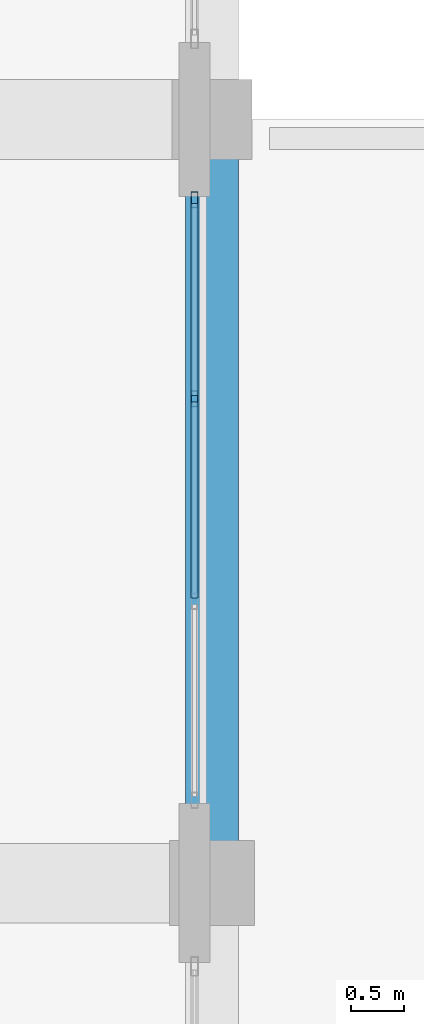
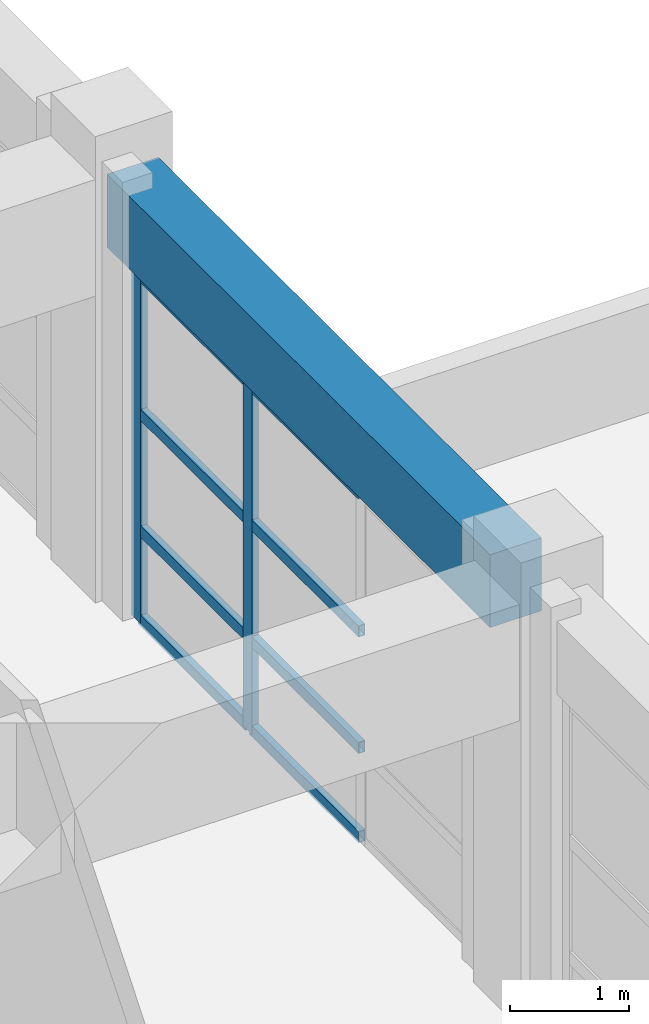
# One storey, part 28 of 123: 10 members, 1 beam, 1 element without a shape of its own.
"""IFC4 building model written with IfcOpenShell, lengths in metres."""

from ifc_helpers import new_model, si_unit, direction, frame, origin, origin_2d, place, context, subcontext, project, spatial, rectangle, hollow_rectangle, extrude, material, layer, layer_set, material_profile, profile_set, type_object, element, aggregate, save


model = new_model("IFC4")

# Units and contexts
model_context = context("Model", 3, precision=1e-05, world=origin(), true_north=direction((0.0, 1.0)))
body_context = subcontext(model_context, "Body", "Model", "MODEL_VIEW")
ifc_project = project(units=[si_unit("LENGTHUNIT", "METRE"), si_unit("AREAUNIT", "SQUARE_METRE"), si_unit("VOLUMEUNIT", "CUBIC_METRE"), si_unit("PLANEANGLEUNIT", "RADIAN"), si_unit("MASSUNIT", "GRAM", prefix="KILO")], contexts=[model_context])

# Site, building, storey
site_placement = place(None, origin())
site = spatial("IfcSite", under=ifc_project, at=site_placement, CompositionType="ELEMENT")
building_placement = place(site_placement, origin())
building = spatial("IfcBuilding", under=site, at=building_placement, Name="Quendrovan Civic Courthouse", CompositionType="ELEMENT")
storey_placement = place(building_placement, frame((0.0, 0.0, 5.39990234375)))
storey = spatial("IfcBuildingStorey", under=building, at=storey_placement, Name="L02", CompositionType="ELEMENT", Elevation=5.39990234375)

# Beam
ifc_material_1 = material(Name="Concrete C40/50", Category="concrete")
ifc_material_profile_1 = material_profile(ifc_material_1, rectangle(XDim=0.5, YDim=0.75, at=origin_2d()), Name="RC-BM-500x750")
ifc_profile_set_1 = profile_set([ifc_material_profile_1], Name="Concrete C40/50")
beam_type = type_object("IfcBeamType", Name="BM-RC750", PredefinedType="SPANDREL", material=ifc_profile_set_1)
beam_placement = place(storey_placement, frame((16.800048828125, 73.580078125, 3.985107421875), z_axis=(0.0, 1.0, 0.0), x_axis=(-1.0, 0.0, 0.0)))
element("IfcBeam", 1, at=beam_placement, inside=storey, type_object=beam_type, Name="L02 Girder Y0631", PredefinedType="SPANDREL", context=body_context, shape_type="SweptSolid", body=[
    extrude(rectangle(XDim=0.5, YDim=0.75, at=origin_2d()), origin(), (0.0, 0.0, 1.0), 6.46484375),
])

# Curtain wall, members
ifc_material_2 = material(Name="Bronze anodised aluminium and low-E glass", Category="aluminium")
ifc_layer = layer(ifc_material_2, 0.179931640625, Name="Bronze anodised aluminium and low-E glass")
ifc_layer_set = layer_set([ifc_layer], Name="Bronze anodised aluminium and low-E glass")
curtain_wall_type = type_object("IfcCurtainWallType", Name="CW-U57x36", PredefinedType="USERDEFINED", material=ifc_layer_set)
curtain_wall_placement = place(storey_placement, origin())
curtain_wall = element("IfcCurtainWall", 2, at=curtain_wall_placement, inside=storey, type_object=curtain_wall_type, Name="L02 Unitised Hurricane Curtain Wall CW-071", ObjectType="UNITISED CURTAIN WALL", PredefinedType="USERDEFINED")
ifc_material_3 = material(Name="Bronze anodised aluminium", Category="aluminium")
ifc_material_profile_2 = material_profile(ifc_material_3, hollow_rectangle(XDim=0.06494140625, YDim=0.14990234375, WallThickness=0.00390625, at=origin_2d()), Name="CW-MULL-65x150")
ifc_profile_set_2 = profile_set([ifc_material_profile_2], Name="Bronze anodised aluminium")
member_type_1 = type_object("IfcMemberType", Name="CW-MULL-B", PredefinedType="MULLION", material=ifc_profile_set_2)
member_1_placement = place(storey_placement, frame((16.635009765625, 79.642578125, 0.0), z_axis=(0.0, 0.0, 1.0), x_axis=(1.0, 0.0, 0.0)))
member_1 = element("IfcMember", 3, at=member_1_placement, type_object=member_type_1, Name="CW-071 mullion 1", PredefinedType="MULLION", context=body_context, shape_type="SweptSolid", body=[
    extrude(hollow_rectangle(XDim=0.06494140625, YDim=0.14990234375, WallThickness=0.00390625, at=origin_2d()), origin(), (0.0, 0.0, 1.0), 3.60009765625),
])
member_2_placement = place(storey_placement, frame((16.635009765625, 77.7666015625, 0.0), z_axis=(0.0, 0.0, 1.0), x_axis=(1.0, 0.0, 0.0)))
member_2 = element("IfcMember", 4, at=member_2_placement, type_object=member_type_1, Name="CW-071 mullion 2", PredefinedType="MULLION", context=body_context, shape_type="SweptSolid", body=[
    extrude(hollow_rectangle(XDim=0.06494140625, YDim=0.14990234375, WallThickness=0.00390625, at=origin_2d()), origin(), (0.0, 0.0, 1.0), 3.60009765625),
])
ifc_material_profile_3 = material_profile(ifc_material_3, hollow_rectangle(XDim=0.06494140625, YDim=0.114990234375, WallThickness=0.00390625, at=origin_2d()), Name="CW-TRAN-65x115")
ifc_profile_set_3 = profile_set([ifc_material_profile_3], Name="Bronze anodised aluminium")
member_type_2 = type_object("IfcMemberType", Name="CW-TRAN-B", PredefinedType="USERDEFINED", material=ifc_profile_set_3)
member_3_placement = place(storey_placement, frame((16.635009765625, 79.610107421875, 0.03271484375), z_axis=(0.0, -1.0, 0.0), x_axis=(1.0, 0.0, 0.0)))
member_3 = element("IfcMember", 5, at=member_3_placement, type_object=member_type_2, Name="CW-071 transom 1.1", ObjectType="TRANSOM", PredefinedType="USERDEFINED", context=body_context, shape_type="SweptSolid", body=[
    extrude(hollow_rectangle(XDim=0.06494140625, YDim=0.114990234375, WallThickness=0.00390625, at=origin_2d()), origin(), (0.0, 0.0, 1.0), 1.81103515625),
])
member_4_placement = place(storey_placement, frame((16.635009765625, 79.610107421875, 0.9501953125), z_axis=(0.0, -1.0, 0.0), x_axis=(1.0, 0.0, 0.0)))
member_4 = element("IfcMember", 6, at=member_4_placement, type_object=member_type_2, Name="CW-071 transom 1.2", ObjectType="TRANSOM", PredefinedType="USERDEFINED", context=body_context, shape_type="SweptSolid", body=[
    extrude(hollow_rectangle(XDim=0.06494140625, YDim=0.114990234375, WallThickness=0.00390625, at=origin_2d()), origin(), (0.0, 0.0, 1.0), 1.81103515625),
])
member_5_placement = place(storey_placement, frame((16.635009765625, 79.610107421875, 2.150146484375), z_axis=(0.0, -1.0, 0.0), x_axis=(1.0, 0.0, 0.0)))
member_5 = element("IfcMember", 7, at=member_5_placement, type_object=member_type_2, Name="CW-071 transom 1.3", ObjectType="TRANSOM", PredefinedType="USERDEFINED", context=body_context, shape_type="SweptSolid", body=[
    extrude(hollow_rectangle(XDim=0.06494140625, YDim=0.114990234375, WallThickness=0.00390625, at=origin_2d()), origin(), (0.0, 0.0, 1.0), 1.81103515625),
])
member_6_placement = place(storey_placement, frame((16.635009765625, 79.610107421875, 3.567626953125), z_axis=(0.0, -1.0, 0.0), x_axis=(1.0, 0.0, 0.0)))
member_6 = element("IfcMember", 8, at=member_6_placement, type_object=member_type_2, Name="CW-071 transom 1.4", ObjectType="TRANSOM", PredefinedType="USERDEFINED", context=body_context, shape_type="SweptSolid", body=[
    extrude(hollow_rectangle(XDim=0.06494140625, YDim=0.114990234375, WallThickness=0.00390625, at=origin_2d()), origin(), (0.0, 0.0, 1.0), 1.81103515625),
])
member_7_placement = place(storey_placement, frame((16.635009765625, 77.734130859375, 0.03271484375), z_axis=(0.0, -1.0, 0.0), x_axis=(1.0, 0.0, 0.0)))
member_7 = element("IfcMember", 9, at=member_7_placement, type_object=member_type_2, Name="CW-071 transom 2.1", ObjectType="TRANSOM", PredefinedType="USERDEFINED", context=body_context, shape_type="SweptSolid", body=[
    extrude(hollow_rectangle(XDim=0.06494140625, YDim=0.114990234375, WallThickness=0.00390625, at=origin_2d()), origin(), (0.0, 0.0, 1.0), 1.84326171875),
])
member_8_placement = place(storey_placement, frame((16.635009765625, 77.734130859375, 0.9501953125), z_axis=(0.0, -1.0, 0.0), x_axis=(1.0, 0.0, 0.0)))
member_8 = element("IfcMember", 10, at=member_8_placement, type_object=member_type_2, Name="CW-071 transom 2.2", ObjectType="TRANSOM", PredefinedType="USERDEFINED", context=body_context, shape_type="SweptSolid", body=[
    extrude(hollow_rectangle(XDim=0.06494140625, YDim=0.114990234375, WallThickness=0.00390625, at=origin_2d()), origin(), (0.0, 0.0, 1.0), 1.84326171875),
])
member_9_placement = place(storey_placement, frame((16.635009765625, 77.734130859375, 2.150146484375), z_axis=(0.0, -1.0, 0.0), x_axis=(1.0, 0.0, 0.0)))
member_9 = element("IfcMember", 11, at=member_9_placement, type_object=member_type_2, Name="CW-071 transom 2.3", ObjectType="TRANSOM", PredefinedType="USERDEFINED", context=body_context, shape_type="SweptSolid", body=[
    extrude(hollow_rectangle(XDim=0.06494140625, YDim=0.114990234375, WallThickness=0.00390625, at=origin_2d()), origin(), (0.0, 0.0, 1.0), 1.84326171875),
])
member_10_placement = place(storey_placement, frame((16.635009765625, 77.734130859375, 3.567626953125), z_axis=(0.0, -1.0, 0.0), x_axis=(1.0, 0.0, 0.0)))
member_10 = element("IfcMember", 12, at=member_10_placement, type_object=member_type_2, Name="CW-071 transom 2.4", ObjectType="TRANSOM", PredefinedType="USERDEFINED", context=body_context, shape_type="SweptSolid", body=[
    extrude(hollow_rectangle(XDim=0.06494140625, YDim=0.114990234375, WallThickness=0.00390625, at=origin_2d()), origin(), (0.0, 0.0, 1.0), 1.84326171875),
])
aggregate(curtain_wall, [member_1, member_2, member_3, member_4, member_5, member_6, member_7, member_8, member_9, member_10])

save(model, "model.ifc")
